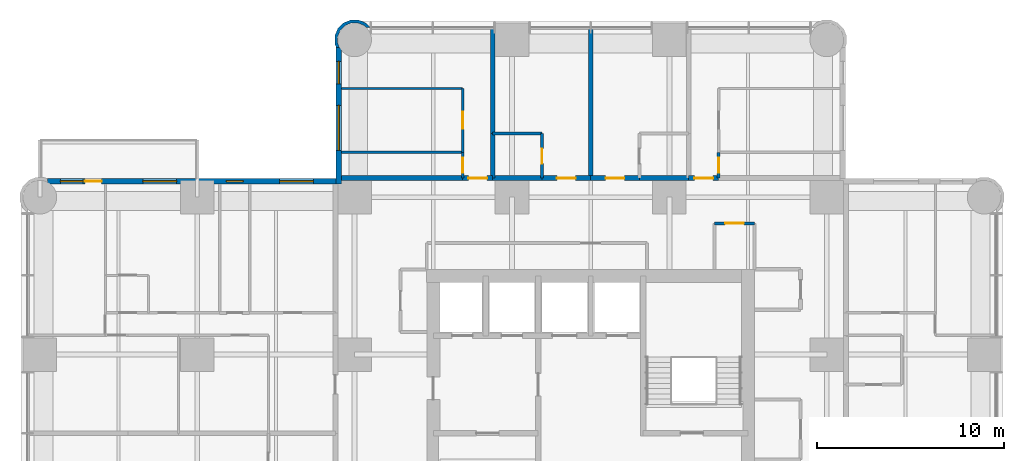
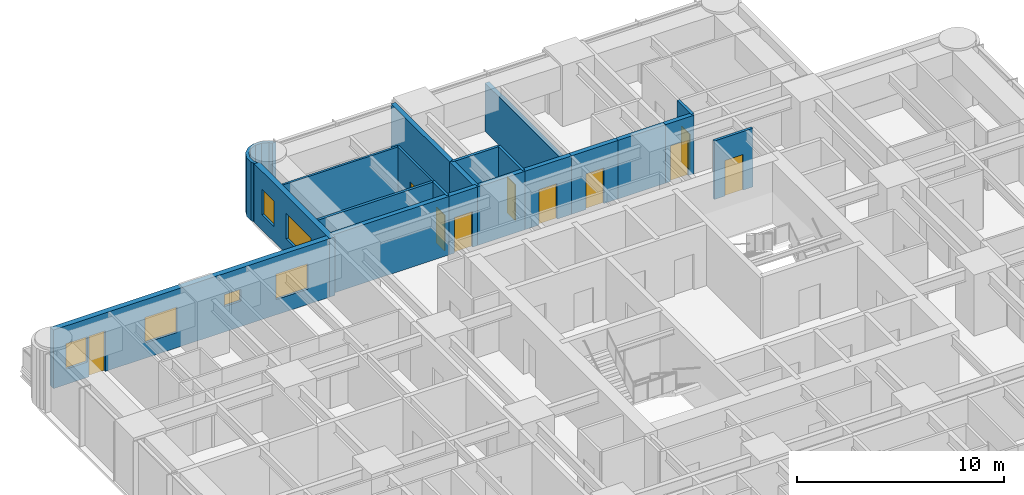
# One storey, part 9 of 11: 21 walls, 10 doors, 6 windows, 16 openings.
"""IFC4 building model written with IfcOpenShell, lengths in metres."""

from ifc_helpers import new_model, si_unit, direction, frame, frame_2d, origin, place, context, subcontext, project, spatial, polyline, rectangle, outline, extrude, material, layer, layer_set, type_object, element, fill, save


model = new_model("IFC4")

# Units and contexts
model_context = context("Model", 3, precision=1e-05, world=origin(), true_north=direction((0.0, 1.0)))
body_context = subcontext(model_context, "Body", "Model", "MODEL_VIEW")
ifc_project = project(units=[si_unit("LENGTHUNIT", "METRE"), si_unit("AREAUNIT", "SQUARE_METRE"), si_unit("VOLUMEUNIT", "CUBIC_METRE"), si_unit("PLANEANGLEUNIT", "RADIAN"), si_unit("MASSUNIT", "GRAM", prefix="KILO")], contexts=[model_context])

# Site, building, storey
site_placement = place(None, origin())
site = spatial("IfcSite", under=ifc_project, at=site_placement, CompositionType="ELEMENT")
building_placement = place(site_placement, origin())
building = spatial("IfcBuilding", under=site, at=building_placement, Name="Torre Alcanfor", CompositionType="ELEMENT")
storey_placement = place(building_placement, frame((0.0, 0.0, 186.89990234375)))
storey = spatial("IfcBuildingStorey", under=building, at=storey_placement, Name="L48", CompositionType="ELEMENT", Elevation=186.89990234375)

# Wall, opening, door
ifc_material_1 = material(Name="Concrete block masonry, hollow blocks NMX-C-404 9 MPa", Category="masonry")
ifc_layer_1 = layer(ifc_material_1, 0.25)
ifc_layer_set_1 = layer_set([ifc_layer_1], Name="Apartment entrance wall 250 EI 60")
wall_type_1 = type_object("IfcWallType", Name="Apartment entrance wall 250 EI 60", PredefinedType="PARTITIONING", material=ifc_layer_set_1)
wall_1_placement = place(storey_placement, frame((26.800048828125, 43.02490234375, 0.0), z_axis=(0.0, 0.0, 1.0), x_axis=(1.0, 0.0, 0.0)))
wall_1 = element("IfcWall", 1, at=wall_1_placement, inside=storey, type_object=wall_type_1, Name="Partition L48-CORR / L48-N1A-STUDIO", PredefinedType="PARTITIONING", context=body_context, shape_type="SweptSolid", body=[
    extrude(rectangle(XDim=2.599853515625, YDim=0.25, at=frame_2d((1.2998046875, 0.0))), origin(), (0.0, 0.0, 1.0), 3.4501953125),
])
opening_1_placement = place(wall_1_placement, frame((0.800048828125, 0.0, 0.0)))
opening_1 = element("IfcOpeningElement", 2, at=opening_1_placement, cuts=wall_1, Name="Opening D-A1", PredefinedType="OPENING", context=body_context, shape_type="SweptSolid", body=[
    extrude(rectangle(XDim=1.0, YDim=2.10009765625, at=frame_2d((0.5, 1.050048828125))), frame((0.0, 0.135009765625, 0.0), z_axis=(0.0, -1.0, 0.0), x_axis=(1.0, 0.0, 0.0)), (0.0, 0.0, 1.0), 0.27001953125),
])
ifc_material_2 = material(Name="Galvanised steel sheet ASTM A653", Category="steel")
door_type_1 = type_object("IfcDoorType", Name="Apartment entrance door FD60 1000x2100", OperationType="SINGLE_SWING_LEFT", PredefinedType="DOOR", material=ifc_material_2)
door_1_placement = place(opening_1_placement, origin())
door_1 = element("IfcDoor", 3, at=door_1_placement, inside=storey, type_object=door_type_1, Name="Apartment entrance L48-N1A", OperationType="SINGLE_SWING_LEFT", OverallHeight=2.10009765625, OverallWidth=1.0, PredefinedType="DOOR", context=body_context, shape_type="SweptSolid", body=[
    extrude(rectangle(XDim=1.0, YDim=2.10009765625, at=frame_2d((0.5, 1.050048828125))), frame((0.0, 0.02490234375, 0.0), z_axis=(0.0, -1.0, 0.0), x_axis=(1.0, 0.0, 0.0)), (0.0, 0.0, 1.0), 0.050048828125),
])
fill(opening_1, door_1)

# Wall
wall_2_placement = place(storey_placement, frame((24.1708984375, 43.02490234375, 0.0), z_axis=(0.0, 0.0, 1.0), x_axis=(1.0, 0.0, 0.0)))
element("IfcWall", 4, at=wall_2_placement, inside=storey, type_object=wall_type_1, Name="Partition L48-CORR / L48-N1A-BATH", PredefinedType="PARTITIONING", context=body_context, shape_type="SweptSolid", body=[
    extrude(rectangle(XDim=2.629150390625, YDim=0.25, at=frame_2d((1.314453125, 0.0))), origin(), (0.0, 0.0, 1.0), 3.4501953125),
])

# Wall, opening, door
wall_3_placement = place(storey_placement, frame((22.571044921875, 43.02490234375, 0.0), z_axis=(0.0, 0.0, 1.0), x_axis=(1.0, 0.0, 0.0)))
wall_3 = element("IfcWall", 5, at=wall_3_placement, inside=storey, type_object=wall_type_1, Name="Partition L48-CORR / L48-N1B-LIVING", PredefinedType="PARTITIONING", context=body_context, shape_type="SweptSolid", body=[
    extrude(rectangle(XDim=1.599853515625, YDim=0.25, at=frame_2d((0.7998046875, 0.0))), origin(), (0.0, 0.0, 1.0), 3.4501953125),
])
opening_2_placement = place(wall_3_placement, frame((0.300048828125, 0.0, 0.0)))
opening_2 = element("IfcOpeningElement", 6, at=opening_2_placement, cuts=wall_3, Name="Opening D-A1", PredefinedType="OPENING", context=body_context, shape_type="SweptSolid", body=[
    extrude(rectangle(XDim=1.0, YDim=2.10009765625, at=frame_2d((0.5, 1.050048828125))), frame((0.0, 0.135009765625, 0.0), z_axis=(0.0, -1.0, 0.0), x_axis=(1.0, 0.0, 0.0)), (0.0, 0.0, 1.0), 0.27001953125),
])
door_2_placement = place(opening_2_placement, origin())
door_2 = element("IfcDoor", 7, at=door_2_placement, inside=storey, type_object=door_type_1, Name="Apartment entrance L48-N1B", OperationType="SINGLE_SWING_LEFT", OverallHeight=2.10009765625, OverallWidth=1.0, PredefinedType="DOOR", context=body_context, shape_type="SweptSolid", body=[
    extrude(rectangle(XDim=1.0, YDim=2.10009765625, at=frame_2d((0.5, 1.050048828125))), frame((0.0, 0.02490234375, 0.0), z_axis=(0.0, -1.0, 0.0), x_axis=(1.0, 0.0, 0.0)), (0.0, 0.0, 1.0), 0.050048828125),
])
fill(opening_2, door_2)

# Wall
wall_4_placement = place(storey_placement, frame((16.10009765625, 43.02490234375, 0.0), z_axis=(0.0, 0.0, 1.0), x_axis=(1.0, 0.0, 0.0)))
element("IfcWall", 8, at=wall_4_placement, inside=storey, type_object=wall_type_1, Name="Partition L48-CORR / L48-N1B-BATH", PredefinedType="PARTITIONING", context=body_context, shape_type="SweptSolid", body=[
    extrude(rectangle(XDim=6.470947265625, YDim=0.25, at=frame_2d((3.2353515625, 0.0))), origin(), (0.0, 0.0, 1.0), 3.4501953125),
])

# Wall, opening, door
wall_5_placement = place(storey_placement, frame((29.39990234375, 43.02490234375, 0.0), z_axis=(0.0, 0.0, 1.0), x_axis=(1.0, 0.0, 0.0)))
wall_5 = element("IfcWall", 9, at=wall_5_placement, inside=storey, type_object=wall_type_1, Name="Partition L48-CORR / L48-N2A-STUDIO", PredefinedType="PARTITIONING", context=body_context, shape_type="SweptSolid", body=[
    extrude(rectangle(XDim=2.60009765625, YDim=0.25, at=frame_2d((1.300048828125, 0.0))), origin(), (0.0, 0.0, 1.0), 3.4501953125),
])
opening_3_placement = place(wall_5_placement, frame((0.800048828125, 0.0, 0.0)))
opening_3 = element("IfcOpeningElement", 10, at=opening_3_placement, cuts=wall_5, Name="Opening D-A1", PredefinedType="OPENING", context=body_context, shape_type="SweptSolid", body=[
    extrude(rectangle(XDim=1.0, YDim=2.10009765625, at=frame_2d((0.5, 1.050048828125))), frame((0.0, 0.135009765625, 0.0), z_axis=(0.0, -1.0, 0.0), x_axis=(1.0, 0.0, 0.0)), (0.0, 0.0, 1.0), 0.27001953125),
])
door_3_placement = place(opening_3_placement, origin())
door_3 = element("IfcDoor", 11, at=door_3_placement, inside=storey, type_object=door_type_1, Name="Apartment entrance L48-N2A", OperationType="SINGLE_SWING_LEFT", OverallHeight=2.10009765625, OverallWidth=1.0, PredefinedType="DOOR", context=body_context, shape_type="SweptSolid", body=[
    extrude(rectangle(XDim=1.0, YDim=2.10009765625, at=frame_2d((0.5, 1.050048828125))), frame((0.0, 0.02490234375, 0.0), z_axis=(0.0, -1.0, 0.0), x_axis=(1.0, 0.0, 0.0)), (0.0, 0.0, 1.0), 0.050048828125),
])
fill(opening_3, door_3)

# Wall
wall_6_placement = place(storey_placement, frame((32.0, 43.02490234375, 0.0), z_axis=(0.0, 0.0, 1.0), x_axis=(1.0, 0.0, 0.0)))
element("IfcWall", 12, at=wall_6_placement, inside=storey, type_object=wall_type_1, Name="Partition L48-CORR / L48-N2A-BATH", PredefinedType="PARTITIONING", context=body_context, shape_type="SweptSolid", body=[
    extrude(rectangle(XDim=2.62890625, YDim=0.25, at=frame_2d((1.314453125, 0.0))), origin(), (0.0, 0.0, 1.0), 3.4501953125),
])

# Wall, opening, door
wall_7_placement = place(storey_placement, frame((34.62890625, 43.02490234375, 0.0), z_axis=(0.0, 0.0, 1.0), x_axis=(1.0, 0.0, 0.0)))
wall_7 = element("IfcWall", 13, at=wall_7_placement, inside=storey, type_object=wall_type_1, Name="Partition L48-CORR / L48-N2B-LIVING", PredefinedType="PARTITIONING", context=body_context, shape_type="SweptSolid", body=[
    extrude(rectangle(XDim=1.60009765625, YDim=0.25, at=frame_2d((0.800048828125, 0.0))), origin(), (0.0, 0.0, 1.0), 3.4501953125),
])
opening_4_placement = place(wall_7_placement, frame((0.300048828125, 0.0, 0.0)))
opening_4 = element("IfcOpeningElement", 14, at=opening_4_placement, cuts=wall_7, Name="Opening D-A1", PredefinedType="OPENING", context=body_context, shape_type="SweptSolid", body=[
    extrude(rectangle(XDim=1.0, YDim=2.10009765625, at=frame_2d((0.5, 1.050048828125))), frame((0.0, 0.135009765625, 0.0), z_axis=(0.0, -1.0, 0.0), x_axis=(1.0, 0.0, 0.0)), (0.0, 0.0, 1.0), 0.27001953125),
])
door_4_placement = place(opening_4_placement, origin())
door_4 = element("IfcDoor", 15, at=door_4_placement, inside=storey, type_object=door_type_1, Name="Apartment entrance L48-N2B", OperationType="SINGLE_SWING_LEFT", OverallHeight=2.10009765625, OverallWidth=1.0, PredefinedType="DOOR", context=body_context, shape_type="SweptSolid", body=[
    extrude(rectangle(XDim=1.0, YDim=2.10009765625, at=frame_2d((0.5, 1.050048828125))), frame((0.0, 0.02490234375, 0.0), z_axis=(0.0, -1.0, 0.0), x_axis=(1.0, 0.0, 0.0)), (0.0, 0.0, 1.0), 0.050048828125),
])
fill(opening_4, door_4)

ifc_material_3 = material(Name="Gypsum board on steel studs", Category="steel")
ifc_layer_2 = layer(ifc_material_3, 0.1201171875)
ifc_layer_set_2 = layer_set([ifc_layer_2], Name="Apartment partition 120")
wall_type_2 = type_object("IfcWallType", Name="Apartment partition 120", PredefinedType="PARTITIONING", material=ifc_layer_set_2)
wall_8_placement = place(storey_placement, frame((22.571044921875, 44.39990234375, 0.0), z_axis=(0.0, 0.0, 1.0), x_axis=(0.0, 1.0, 0.0)))
wall_8 = element("IfcWall", 16, at=wall_8_placement, inside=storey, type_object=wall_type_2, Name="Partition L48-N1B-LIVING / L48-N1B-MASTER", PredefinedType="PARTITIONING", context=body_context, shape_type="SweptSolid", body=[
    extrude(rectangle(XDim=3.400146484375, YDim=0.1201171875, at=frame_2d((1.7001953125, 0.0))), origin(), (0.0, 0.0, 1.0), 3.4501953125),
])
opening_5_placement = place(wall_8_placement, frame((1.25, 0.0, 0.0)))
opening_5 = element("IfcOpeningElement", 17, at=opening_5_placement, cuts=wall_8, Name="Opening D-R1", PredefinedType="OPENING", context=body_context, shape_type="SweptSolid", body=[
    extrude(rectangle(XDim=0.89990234375, YDim=2.10009765625, at=frame_2d((0.449951171875, 1.050048828125))), frame((0.0, 0.070068359375, 0.0), z_axis=(0.0, -1.0, 0.0), x_axis=(1.0, 0.0, 0.0)), (0.0, 0.0, 1.0), 0.14013671875),
])
ifc_material_4 = material(Name="Timber", Category="wood")
door_type_2 = type_object("IfcDoorType", Name="Internal door 900x2100", OperationType="SINGLE_SWING_LEFT", PredefinedType="DOOR", material=ifc_material_4)
door_5_placement = place(opening_5_placement, origin())
door_5 = element("IfcDoor", 18, at=door_5_placement, inside=storey, type_object=door_type_2, Name="Door L48-N1B master", OperationType="SINGLE_SWING_LEFT", OverallHeight=2.10009765625, OverallWidth=0.89990234375, PredefinedType="DOOR", context=body_context, shape_type="SweptSolid", body=[
    extrude(rectangle(XDim=0.89990234375, YDim=2.10009765625, at=frame_2d((0.449951171875, 1.050048828125))), frame((0.0, 0.02490234375, 0.0), z_axis=(0.0, -1.0, 0.0), x_axis=(1.0, 0.0, 0.0)), (0.0, 0.0, 1.0), 0.050048828125),
])
fill(opening_5, door_5)

# Wall
wall_9_placement = place(storey_placement, frame((22.571044921875, 47.800048828125, 0.0), z_axis=(0.0, 0.0, 1.0), x_axis=(-1.0, 0.0, 0.0)))
element("IfcWall", 19, at=wall_9_placement, inside=storey, type_object=wall_type_2, Name="Partition L48-N1B-LIVING / L48-N1B-MASTER", PredefinedType="PARTITIONING", context=body_context, shape_type="SweptSolid", body=[
    extrude(rectangle(XDim=6.470947265625, YDim=0.1201171875, at=frame_2d((3.2353515625, 0.0))), origin(), (0.0, 0.0, 1.0), 3.4501953125),
])

# Wall, openings, door, windows
ifc_material_5 = material(Name="Limestone cladding", Category="masonry")
ifc_layer_3 = layer(ifc_material_5, 0.0400390625, Name="Facing")
ifc_material_6 = material(Name="Ventilated air cavity")
ifc_layer_4 = layer(ifc_material_6, 0.02001953125, ventilated=True, Name="Ventilated joint")
ifc_material_7 = material(Name="Mineral wool insulation", Category="insulation")
ifc_layer_5 = layer(ifc_material_7, 0.10009765625, Name="Insulation")
ifc_material_8 = material(Name="Concrete f'c 35 MPa", Category="concrete")
ifc_layer_6 = layer(ifc_material_8, 0.139892578125, Name="Backing")
ifc_layer_set_3 = layer_set([ifc_layer_3, ifc_layer_4, ifc_layer_5, ifc_layer_6], Name="External wall stone-clad 300")
wall_type_3 = type_object("IfcWallType", Name="External wall stone-clad 300", PredefinedType="SOLIDWALL", material=ifc_layer_set_3)
wall_10_placement = place(storey_placement, frame((15.800048828125, 42.85009765625, 0.0), z_axis=(0.0, 0.0, 1.0), x_axis=(-1.0, 0.0, 0.0)))
wall_10 = element("IfcWall", 20, at=wall_10_placement, inside=storey, type_object=wall_type_3, Name="External wall L48 1", PredefinedType="SOLIDWALL", context=body_context, shape_type="SweptSolid", body=[
    extrude(rectangle(XDim=15.400146484375, YDim=0.300048828125, at=frame_2d((7.7001953125, 0.0))), origin(), (0.0, 0.0, 1.0), 3.4501953125),
])
opening_6_placement = place(wall_10_placement, frame((1.199951171875, 0.0, 0.89990234375)))
opening_6 = element("IfcOpeningElement", 21, at=opening_6_placement, cuts=wall_10, Name="Opening W2", PredefinedType="OPENING", context=body_context, shape_type="SweptSolid", body=[
    extrude(rectangle(XDim=1.800048828125, YDim=1.5, at=frame_2d((0.89990234375, 0.75))), frame((0.0, 0.159912109375, 0.0), z_axis=(0.0, -1.0, 0.0), x_axis=(1.0, 0.0, 0.0)), (0.0, 0.0, 1.0), 0.320068359375),
])
opening_7_placement = place(wall_10_placement, frame((4.949951171875, 0.0, 1.5)))
opening_7 = element("IfcOpeningElement", 22, at=opening_7_placement, cuts=wall_10, Name="Opening W3", PredefinedType="OPENING", context=body_context, shape_type="SweptSolid", body=[
    extrude(rectangle(XDim=0.89990234375, YDim=0.699951171875, at=frame_2d((0.449951171875, 0.35009765625))), frame((0.0, 0.159912109375, 0.0), z_axis=(0.0, -1.0, 0.0), x_axis=(1.0, 0.0, 0.0)), (0.0, 0.0, 1.0), 0.320068359375),
])
opening_8_placement = place(wall_10_placement, frame((8.5, 0.0, 0.89990234375)))
opening_8 = element("IfcOpeningElement", 23, at=opening_8_placement, cuts=wall_10, Name="Opening W2", PredefinedType="OPENING", context=body_context, shape_type="SweptSolid", body=[
    extrude(rectangle(XDim=1.800048828125, YDim=1.5, at=frame_2d((0.89990234375, 0.75))), frame((0.0, 0.159912109375, 0.0), z_axis=(0.0, -1.0, 0.0), x_axis=(1.0, 0.0, 0.0)), (0.0, 0.0, 1.0), 0.320068359375),
])
opening_9_placement = place(wall_10_placement, frame((12.5, 0.0, 0.0)))
opening_9 = element("IfcOpeningElement", 24, at=opening_9_placement, cuts=wall_10, Name="Opening D-B1", PredefinedType="OPENING", context=body_context, shape_type="SweptSolid", body=[
    extrude(rectangle(XDim=0.89990234375, YDim=2.39990234375, at=frame_2d((0.449951171875, 1.199951171875))), frame((0.0, 0.159912109375, 0.0), z_axis=(0.0, -1.0, 0.0), x_axis=(1.0, 0.0, 0.0)), (0.0, 0.0, 1.0), 0.320068359375),
])
opening_10_placement = place(wall_10_placement, frame((13.5, 0.0, 0.89990234375)))
opening_10 = element("IfcOpeningElement", 25, at=opening_10_placement, cuts=wall_10, Name="Opening W4", PredefinedType="OPENING", context=body_context, shape_type="SweptSolid", body=[
    extrude(rectangle(XDim=1.199951171875, YDim=1.5, at=frame_2d((0.60009765625, 0.75))), frame((0.0, 0.159912109375, 0.0), z_axis=(0.0, -1.0, 0.0), x_axis=(1.0, 0.0, 0.0)), (0.0, 0.0, 1.0), 0.320068359375),
])
ifc_material_9 = material(Name="Aluminium and glass", Category="aluminium")
door_type_3 = type_object("IfcDoorType", Name="Balcony door glazed 900x2400", OperationType="SINGLE_SWING_LEFT", PredefinedType="DOOR", material=ifc_material_9)
door_6_placement = place(opening_9_placement, origin())
door_6 = element("IfcDoor", 26, at=door_6_placement, inside=storey, type_object=door_type_3, Name="Balcony door L48-W2", OperationType="SINGLE_SWING_LEFT", OverallHeight=2.39990234375, OverallWidth=0.89990234375, PredefinedType="DOOR", context=body_context, shape_type="SweptSolid", body=[
    extrude(rectangle(XDim=0.89990234375, YDim=2.39990234375, at=frame_2d((0.449951171875, 1.199951171875))), frame((0.0, 0.02490234375, 0.0), z_axis=(0.0, -1.0, 0.0), x_axis=(1.0, 0.0, 0.0)), (0.0, 0.0, 1.0), 0.050048828125),
])
fill(opening_9, door_6)
ifc_material_10 = material(Name="Aluminium frame with clear double glazing", Category="aluminium")
window_type_1 = type_object("IfcWindowType", Name="Window bathroom 900x700", PartitioningType="SINGLE_PANEL", PredefinedType="WINDOW", material=ifc_material_10)
window_1_placement = place(opening_7_placement, origin())
window_1 = element("IfcWindow", 27, at=window_1_placement, inside=storey, type_object=window_type_1, Name="Window W3 L48-W2", OverallHeight=0.699951171875, OverallWidth=0.89990234375, PartitioningType="SINGLE_PANEL", PredefinedType="WINDOW", context=body_context, shape_type="SweptSolid", body=[
    extrude(rectangle(XDim=0.89990234375, YDim=0.699951171875, at=frame_2d((0.449951171875, 0.35009765625))), frame((0.0, 0.030029296875, 0.0), z_axis=(0.0, -1.0, 0.0), x_axis=(1.0, 0.0, 0.0)), (0.0, 0.0, 1.0), 0.06005859375),
])
fill(opening_7, window_1)
ifc_material_11 = material(Name="Aluminium frame with clear double glazing", Category="aluminium")
window_type_2 = type_object("IfcWindowType", Name="Window bedroom 1200x1500", PartitioningType="SINGLE_PANEL", PredefinedType="WINDOW", material=ifc_material_11)
window_2_placement = place(opening_10_placement, origin())
window_2 = element("IfcWindow", 28, at=window_2_placement, inside=storey, type_object=window_type_2, Name="Window W4 L48-W2", OverallHeight=1.5, OverallWidth=1.199951171875, PartitioningType="SINGLE_PANEL", PredefinedType="WINDOW", context=body_context, shape_type="SweptSolid", body=[
    extrude(rectangle(XDim=1.199951171875, YDim=1.5, at=frame_2d((0.60009765625, 0.75))), frame((0.0, 0.030029296875, 0.0), z_axis=(0.0, -1.0, 0.0), x_axis=(1.0, 0.0, 0.0)), (0.0, 0.0, 1.0), 0.06005859375),
])
fill(opening_10, window_2)
ifc_material_12 = material(Name="Aluminium frame with clear double glazing", Category="aluminium")
window_type_3 = type_object("IfcWindowType", Name="Window bedroom 1800x1500", PartitioningType="SINGLE_PANEL", PredefinedType="WINDOW", material=ifc_material_12)
window_3_placement = place(opening_6_placement, origin())
window_3 = element("IfcWindow", 29, at=window_3_placement, inside=storey, type_object=window_type_3, Name="Window W2 L48-W2", OverallHeight=1.5, OverallWidth=1.800048828125, PartitioningType="SINGLE_PANEL", PredefinedType="WINDOW", context=body_context, shape_type="SweptSolid", body=[
    extrude(rectangle(XDim=1.800048828125, YDim=1.5, at=frame_2d((0.89990234375, 0.75))), frame((0.0, 0.030029296875, 0.0), z_axis=(0.0, -1.0, 0.0), x_axis=(1.0, 0.0, 0.0)), (0.0, 0.0, 1.0), 0.06005859375),
])
fill(opening_6, window_3)
window_4_placement = place(opening_8_placement, origin())
window_4 = element("IfcWindow", 30, at=window_4_placement, inside=storey, type_object=window_type_3, Name="Window W2 L48-W2", OverallHeight=1.5, OverallWidth=1.800048828125, PartitioningType="SINGLE_PANEL", PredefinedType="WINDOW", context=body_context, shape_type="SweptSolid", body=[
    extrude(rectangle(XDim=1.800048828125, YDim=1.5, at=frame_2d((0.89990234375, 0.75))), frame((0.0, 0.030029296875, 0.0), z_axis=(0.0, -1.0, 0.0), x_axis=(1.0, 0.0, 0.0)), (0.0, 0.0, 1.0), 0.06005859375),
])
fill(opening_8, window_4)

# Wall, openings, windows
wall_11_placement = place(storey_placement, frame((15.949951171875, 50.0, 0.0), z_axis=(0.0, 0.0, 1.0), x_axis=(0.0, -1.0, 0.0)))
wall_11 = element("IfcWall", 31, at=wall_11_placement, inside=storey, type_object=wall_type_3, Name="External wall L48 12", PredefinedType="SOLIDWALL", context=body_context, shape_type="SweptSolid", body=[
    extrude(rectangle(XDim=7.300048828125, YDim=0.300048828125, at=frame_2d((3.64990234375, 0.0))), origin(), (0.0, 0.0, 1.0), 3.4501953125),
])
opening_11_placement = place(wall_11_placement, frame((3.10009765625, 0.0, 0.89990234375)))
opening_11 = element("IfcOpeningElement", 32, at=opening_11_placement, cuts=wall_11, Name="Opening W1", PredefinedType="OPENING", context=body_context, shape_type="SweptSolid", body=[
    extrude(rectangle(XDim=2.39990234375, YDim=1.5, at=frame_2d((1.199951171875, 0.75))), frame((0.0, 0.159912109375, 0.0), z_axis=(0.0, -1.0, 0.0), x_axis=(1.0, 0.0, 0.0)), (0.0, 0.0, 1.0), 0.320068359375),
])
opening_12_placement = place(wall_11_placement, frame((0.75, 0.0, 0.89990234375)))
opening_12 = element("IfcOpeningElement", 33, at=opening_12_placement, cuts=wall_11, Name="Opening W4", PredefinedType="OPENING", context=body_context, shape_type="SweptSolid", body=[
    extrude(rectangle(XDim=1.199951171875, YDim=1.5, at=frame_2d((0.60009765625, 0.75))), frame((0.0, 0.159912109375, 0.0), z_axis=(0.0, -1.0, 0.0), x_axis=(1.0, 0.0, 0.0)), (0.0, 0.0, 1.0), 0.320068359375),
])
window_5_placement = place(opening_12_placement, origin())
window_5 = element("IfcWindow", 34, at=window_5_placement, inside=storey, type_object=window_type_2, Name="Window W4 L48-N1", OverallHeight=1.5, OverallWidth=1.199951171875, PartitioningType="SINGLE_PANEL", PredefinedType="WINDOW", context=body_context, shape_type="SweptSolid", body=[
    extrude(rectangle(XDim=1.199951171875, YDim=1.5, at=frame_2d((0.60009765625, 0.75))), frame((0.0, 0.030029296875, 0.0), z_axis=(0.0, -1.0, 0.0), x_axis=(1.0, 0.0, 0.0)), (0.0, 0.0, 1.0), 0.06005859375),
])
fill(opening_12, window_5)
ifc_material_13 = material(Name="Aluminium frame with clear double glazing", Category="aluminium")
window_type_4 = type_object("IfcWindowType", Name="Window bedroom 2400x1500", PartitioningType="SINGLE_PANEL", PredefinedType="WINDOW", material=ifc_material_13)
window_6_placement = place(opening_11_placement, origin())
window_6 = element("IfcWindow", 35, at=window_6_placement, inside=storey, type_object=window_type_4, Name="Window W1 L48-N1", OverallHeight=1.5, OverallWidth=2.39990234375, PartitioningType="SINGLE_PANEL", PredefinedType="WINDOW", context=body_context, shape_type="SweptSolid", body=[
    extrude(rectangle(XDim=2.39990234375, YDim=1.5, at=frame_2d((1.199951171875, 0.75))), frame((0.0, 0.030029296875, 0.0), z_axis=(0.0, -1.0, 0.0), x_axis=(1.0, 0.0, 0.0)), (0.0, 0.0, 1.0), 0.06005859375),
])
fill(opening_11, window_6)

# Walls
ifc_material_14 = material(Name="Concrete block masonry, hollow blocks NMX-C-404 9 MPa", Category="masonry")
ifc_layer_7 = layer(ifc_material_14, 0.25)
ifc_layer_set_4 = layer_set([ifc_layer_7], Name="Party wall 250 EI 60")
wall_type_4 = type_object("IfcWallType", Name="Party wall 250 EI 60", PredefinedType="PARTITIONING", material=ifc_layer_set_4)
wall_12_placement = place(storey_placement, frame((24.1708984375, 45.39990234375, 0.0), z_axis=(0.0, 0.0, 1.0), x_axis=(0.0, 1.0, 0.0)))
element("IfcWall", 36, at=wall_12_placement, inside=storey, type_object=wall_type_4, Name="Partition L48-N1A-STUDIO / L48-N1B-LIVING", PredefinedType="PARTITIONING", context=body_context, shape_type="SweptSolid", body=[
    extrude(rectangle(XDim=5.650146484375, YDim=0.25, at=frame_2d((2.8251953125, 0.0))), origin(), (0.0, 0.0, 1.0), 3.4501953125),
])
wall_13_placement = place(storey_placement, frame((29.39990234375, 51.050048828125, 0.0), z_axis=(0.0, 0.0, 1.0), x_axis=(0.0, -1.0, 0.0)))
element("IfcWall", 37, at=wall_13_placement, inside=storey, type_object=wall_type_4, Name="Partition L48-N1A-STUDIO / L48-N2A-STUDIO", PredefinedType="PARTITIONING", context=body_context, shape_type="SweptSolid", body=[
    extrude(rectangle(XDim=8.025146484375, YDim=0.25, at=frame_2d((4.0126953125, 0.0))), origin(), (0.0, 0.0, 1.0), 2.84814453125),
])
wall_14_placement = place(storey_placement, frame((24.1708984375, 45.39990234375, 0.0), z_axis=(0.0, 0.0, 1.0), x_axis=(0.0, -1.0, 0.0)))
element("IfcWall", 38, at=wall_14_placement, inside=storey, type_object=wall_type_4, Name="Partition L48-N1A-BATH / L48-N1B-LIVING", PredefinedType="PARTITIONING", context=body_context, shape_type="SweptSolid", body=[
    extrude(rectangle(XDim=2.375, YDim=0.25, at=frame_2d((1.1875, 0.0))), origin(), (0.0, 0.0, 1.0), 3.4501953125),
])

# Wall, opening, door
ifc_material_15 = material(Name="Concrete block masonry, hollow blocks NMX-C-404 9 MPa", Category="masonry")
ifc_layer_8 = layer(ifc_material_15, 0.14990234375)
ifc_layer_set_5 = layer_set([ifc_layer_8], Name="Residents' room partition 150")
wall_type_5 = type_object("IfcWallType", Name="Residents' room partition 150", PredefinedType="PARTITIONING", material=ifc_layer_set_5)
wall_15_placement = place(storey_placement, frame((38.14990234375, 40.60009765625, 0.0), z_axis=(0.0, 0.0, 1.0), x_axis=(-1.0, 0.0, 0.0)))
wall_15 = element("IfcWall", 39, at=wall_15_placement, inside=storey, type_object=wall_type_5, Name="Partition L48-CORR / L48-G02", PredefinedType="PARTITIONING", context=body_context, shape_type="SweptSolid", body=[
    extrude(rectangle(XDim=2.14990234375, YDim=0.14990234375, at=frame_2d((1.074951171875, 0.0))), origin(), (0.0, 0.0, 1.0), 3.4501953125),
])
opening_13_placement = place(wall_15_placement, frame((0.574951171875, 0.0, 0.0)))
opening_13 = element("IfcOpeningElement", 40, at=opening_13_placement, cuts=wall_15, Name="Opening D-M1", PredefinedType="OPENING", context=body_context, shape_type="SweptSolid", body=[
    extrude(rectangle(XDim=1.0, YDim=2.10009765625, at=frame_2d((0.5, 1.050048828125))), frame((0.0, 0.0849609375, 0.0), z_axis=(0.0, -1.0, 0.0), x_axis=(1.0, 0.0, 0.0)), (0.0, 0.0, 1.0), 0.169921875),
])
ifc_material_16 = material(Name="Timber", Category="wood")
door_type_4 = type_object("IfcDoorType", Name="Residents' room door 1000x2100", OperationType="SINGLE_SWING_LEFT", PredefinedType="DOOR", material=ifc_material_16)
door_7_placement = place(opening_13_placement, origin())
door_7 = element("IfcDoor", 41, at=door_7_placement, inside=storey, type_object=door_type_4, Name="Door L48-G02 parcel room", OperationType="SINGLE_SWING_LEFT", OverallHeight=2.10009765625, OverallWidth=1.0, PredefinedType="DOOR", context=body_context, shape_type="SweptSolid", body=[
    extrude(rectangle(XDim=1.0, YDim=2.10009765625, at=frame_2d((0.5, 1.050048828125))), frame((0.0, 0.02490234375, 0.0), z_axis=(0.0, -1.0, 0.0), x_axis=(1.0, 0.0, 0.0)), (0.0, 0.0, 1.0), 0.050048828125),
])
fill(opening_13, door_7)

# Wall
ifc_layer_9 = layer(ifc_material_5, 0.0400390625, Name="Facing")
ifc_layer_10 = layer(ifc_material_6, 0.02001953125, ventilated=True, Name="Ventilated joint")
ifc_layer_11 = layer(ifc_material_7, 0.10009765625, Name="Insulation")
ifc_layer_12 = layer(ifc_material_8, 0.139892578125, Name="Backing")
ifc_layer_set_6 = layer_set([ifc_layer_9, ifc_layer_10, ifc_layer_11, ifc_layer_12], Name="Rounded corner pier stone-clad 300")
wall_type_6 = type_object("IfcWallType", Name="Rounded corner pier stone-clad 300", PredefinedType="SOLIDWALL", material=ifc_layer_set_6)
wall_16_placement = place(storey_placement, frame((17.56659392, 51.010519256, 0.0), z_axis=(0.0, 0.0, 1.0), x_axis=(-0.377204953059, 0.926129809145, 0.0)))
element("IfcWall", 42, at=wall_16_placement, inside=storey, type_object=wall_type_6, Name="Corner pier L48 20", PredefinedType="SOLIDWALL", context=body_context, shape_type="SweptSolid", body=[
    extrude(outline(polyline([(-0.2695224472393146, 2.01722293730975), (-0.3701431101960245, 1.8407234859763855), (-0.10241958066743428, 1.8423997316775762), (0.22950389585243314, 1.707210065883898), (0.4845744445318696, 1.4551709853074761), (0.6236818665576082, 1.1248825372683342), (0.6257858293111122, 0.7663016450248007), (0.4905961635174338, 0.43437816850493327), (0.2386491739940051, 0.17953372573593263), (0.09027729798316994, 0.11685669625710161), (0.0109869013562237, -0.07782049262818846), (0.02455325598237632, -0.0833459558077666), (0.32947803800020364, 0.045266383532975185), (0.4800433768309631, 0.19746957718039798), (0.49891874533832004, 0.19268154900874804), (0.507465313210511, 0.22531569769233664), (0.6259113653750967, 0.34525923056028235), (0.784952613893954, 0.7357441378830418), (0.7823818366196249, 1.157255251056618), (0.618841786734827, 1.5459998493136748), (0.3188489397075199, 1.842433176688568), (-0.0716359676152396, 2.0014744252074252), (-0.2399774705530371, 2.000444465608875), (-0.2695224472393146, 2.01722293730975)])), origin(), (0.0, 0.0, 1.0), 3.4501953125),
])

# Wall, opening, door
ifc_material_17 = material(Name="Cement board on steel studs", Category="steel")
ifc_layer_13 = layer(ifc_material_17, 0.14990234375)
ifc_layer_set_7 = layer_set([ifc_layer_13], Name="Wet area partition 150")
wall_type_7 = type_object("IfcWallType", Name="Wet area partition 150", PredefinedType="PARTITIONING", material=ifc_layer_set_7)
wall_17_placement = place(storey_placement, frame((26.800048828125, 43.02490234375, 0.0), z_axis=(0.0, 0.0, 1.0), x_axis=(0.0, 1.0, 0.0)))
wall_17 = element("IfcWall", 43, at=wall_17_placement, inside=storey, type_object=wall_type_7, Name="Partition L48-N1A-STUDIO / L48-N1A-BATH", PredefinedType="PARTITIONING", context=body_context, shape_type="SweptSolid", body=[
    extrude(rectangle(XDim=2.375, YDim=0.14990234375, at=frame_2d((1.1875, 0.0))), origin(), (0.0, 0.0, 1.0), 3.4501953125),
])
opening_14_placement = place(wall_17_placement, frame((0.77490234375, 0.0, 0.0)))
opening_14 = element("IfcOpeningElement", 44, at=opening_14_placement, cuts=wall_17, Name="Opening D-R2", PredefinedType="OPENING", context=body_context, shape_type="SweptSolid", body=[
    extrude(rectangle(XDim=0.800048828125, YDim=2.10009765625, at=frame_2d((0.39990234375, 1.050048828125))), frame((0.0, 0.0849609375, 0.0), z_axis=(0.0, -1.0, 0.0), x_axis=(1.0, 0.0, 0.0)), (0.0, 0.0, 1.0), 0.169921875),
])
ifc_material_18 = material(Name="Timber", Category="wood")
door_type_5 = type_object("IfcDoorType", Name="Bathroom door 800x2100", OperationType="SINGLE_SWING_LEFT", PredefinedType="DOOR", material=ifc_material_18)
door_8_placement = place(opening_14_placement, origin())
door_8 = element("IfcDoor", 45, at=door_8_placement, inside=storey, type_object=door_type_5, Name="Door L48-N1A bath", OperationType="SINGLE_SWING_LEFT", OverallHeight=2.10009765625, OverallWidth=0.800048828125, PredefinedType="DOOR", context=body_context, shape_type="SweptSolid", body=[
    extrude(rectangle(XDim=0.800048828125, YDim=2.10009765625, at=frame_2d((0.39990234375, 1.050048828125))), frame((0.0, 0.02490234375, 0.0), z_axis=(0.0, -1.0, 0.0), x_axis=(1.0, 0.0, 0.0)), (0.0, 0.0, 1.0), 0.050048828125),
])
fill(opening_14, door_8)

# Wall
wall_18_placement = place(storey_placement, frame((26.800048828125, 45.39990234375, 0.0), z_axis=(0.0, 0.0, 1.0), x_axis=(-1.0, 0.0, 0.0)))
element("IfcWall", 46, at=wall_18_placement, inside=storey, type_object=wall_type_7, Name="Partition L48-N1A-STUDIO / L48-N1A-BATH", PredefinedType="PARTITIONING", context=body_context, shape_type="SweptSolid", body=[
    extrude(rectangle(XDim=2.629150390625, YDim=0.14990234375, at=frame_2d((1.314453125, 0.0))), origin(), (0.0, 0.0, 1.0), 3.4501953125),
])

# Wall, opening, door
wall_19_placement = place(storey_placement, frame((22.571044921875, 43.02490234375, 0.0), z_axis=(0.0, 0.0, 1.0), x_axis=(0.0, 1.0, 0.0)))
wall_19 = element("IfcWall", 47, at=wall_19_placement, inside=storey, type_object=wall_type_7, Name="Partition L48-N1B-LIVING / L48-N1B-BATH", PredefinedType="PARTITIONING", context=body_context, shape_type="SweptSolid", body=[
    extrude(rectangle(XDim=1.375, YDim=0.14990234375, at=frame_2d((0.6875, 0.0))), origin(), (0.0, 0.0, 1.0), 3.4501953125),
])
opening_15_placement = place(wall_19_placement, frame((0.27490234375, 0.0, 0.0)))
opening_15 = element("IfcOpeningElement", 48, at=opening_15_placement, cuts=wall_19, Name="Opening D-R2", PredefinedType="OPENING", context=body_context, shape_type="SweptSolid", body=[
    extrude(rectangle(XDim=0.800048828125, YDim=2.10009765625, at=frame_2d((0.39990234375, 1.050048828125))), frame((0.0, 0.0849609375, 0.0), z_axis=(0.0, -1.0, 0.0), x_axis=(1.0, 0.0, 0.0)), (0.0, 0.0, 1.0), 0.169921875),
])
door_9_placement = place(opening_15_placement, origin())
door_9 = element("IfcDoor", 49, at=door_9_placement, inside=storey, type_object=door_type_5, Name="Door L48-N1B bath", OperationType="SINGLE_SWING_LEFT", OverallHeight=2.10009765625, OverallWidth=0.800048828125, PredefinedType="DOOR", context=body_context, shape_type="SweptSolid", body=[
    extrude(rectangle(XDim=0.800048828125, YDim=2.10009765625, at=frame_2d((0.39990234375, 1.050048828125))), frame((0.0, 0.02490234375, 0.0), z_axis=(0.0, -1.0, 0.0), x_axis=(1.0, 0.0, 0.0)), (0.0, 0.0, 1.0), 0.050048828125),
])
fill(opening_15, door_9)

# Wall
wall_20_placement = place(storey_placement, frame((22.571044921875, 44.39990234375, 0.0), z_axis=(0.0, 0.0, 1.0), x_axis=(-1.0, 0.0, 0.0)))
element("IfcWall", 50, at=wall_20_placement, inside=storey, type_object=wall_type_7, Name="Partition L48-N1B-BATH / L48-N1B-MASTER", PredefinedType="PARTITIONING", context=body_context, shape_type="SweptSolid", body=[
    extrude(rectangle(XDim=6.470947265625, YDim=0.14990234375, at=frame_2d((3.2353515625, 0.0))), origin(), (0.0, 0.0, 1.0), 3.4501953125),
])

# Wall, opening, door
wall_21_placement = place(storey_placement, frame((36.22900390625, 44.39990234375, 0.0), z_axis=(0.0, 0.0, 1.0), x_axis=(0.0, -1.0, 0.0)))
wall_21 = element("IfcWall", 51, at=wall_21_placement, inside=storey, type_object=wall_type_7, Name="Partition L48-N2B-LIVING / L48-N2B-BATH", PredefinedType="PARTITIONING", context=body_context, shape_type="SweptSolid", body=[
    extrude(rectangle(XDim=1.375, YDim=0.14990234375, at=frame_2d((0.6875, 0.0))), origin(), (0.0, 0.0, 1.0), 3.4501953125),
])
opening_16_placement = place(wall_21_placement, frame((0.300048828125, 0.0, 0.0)))
opening_16 = element("IfcOpeningElement", 52, at=opening_16_placement, cuts=wall_21, Name="Opening D-R2", PredefinedType="OPENING", context=body_context, shape_type="SweptSolid", body=[
    extrude(rectangle(XDim=0.800048828125, YDim=2.10009765625, at=frame_2d((0.39990234375, 1.050048828125))), frame((0.0, 0.0849609375, 0.0), z_axis=(0.0, -1.0, 0.0), x_axis=(1.0, 0.0, 0.0)), (0.0, 0.0, 1.0), 0.169921875),
])
door_10_placement = place(opening_16_placement, origin())
door_10 = element("IfcDoor", 53, at=door_10_placement, inside=storey, type_object=door_type_5, Name="Door L48-N2B bath", OperationType="SINGLE_SWING_RIGHT", OverallHeight=2.10009765625, OverallWidth=0.800048828125, PredefinedType="DOOR", context=body_context, shape_type="SweptSolid", body=[
    extrude(rectangle(XDim=0.800048828125, YDim=2.10009765625, at=frame_2d((0.39990234375, 1.050048828125))), frame((0.0, 0.02490234375, 0.0), z_axis=(0.0, -1.0, 0.0), x_axis=(1.0, 0.0, 0.0)), (0.0, 0.0, 1.0), 0.050048828125),
])
fill(opening_16, door_10)

save(model, "model.ifc")
